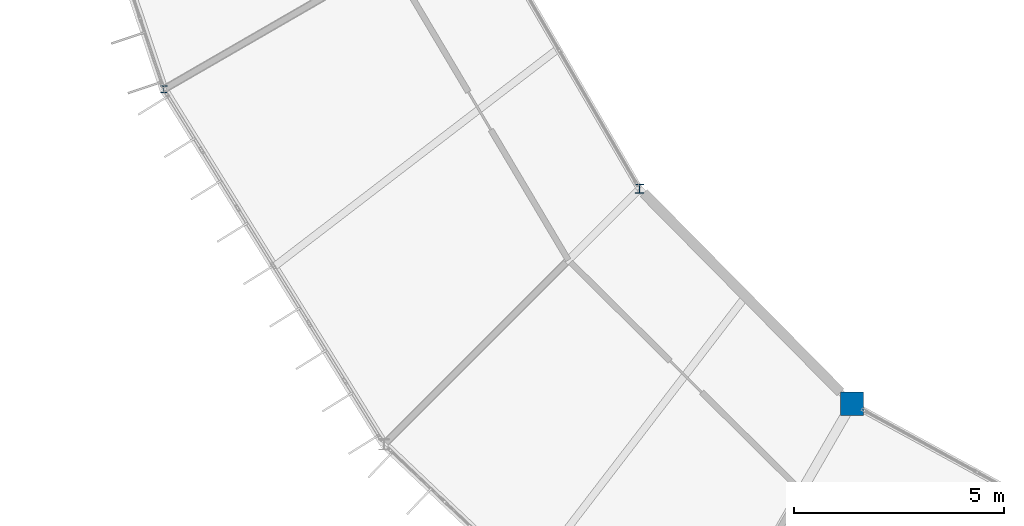
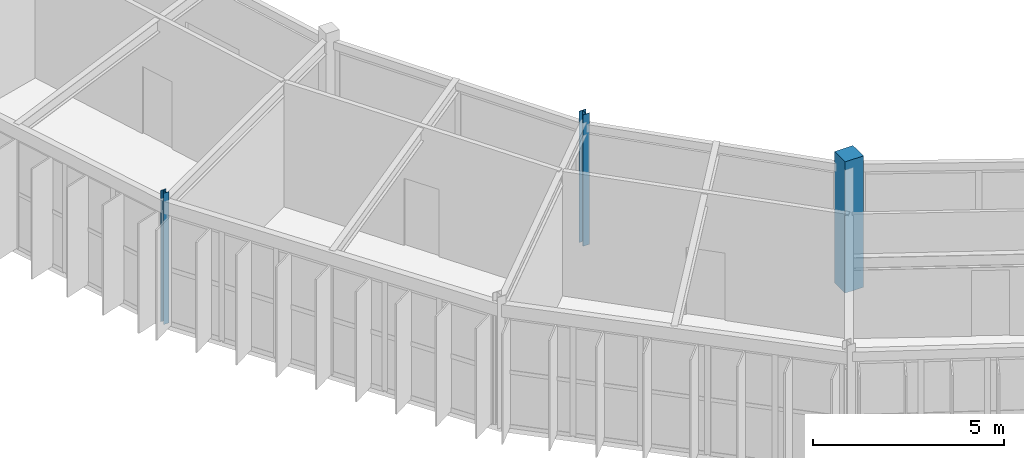
# One storey, part 2 of 134: 3 columns.
"""IFC4 building model written with IfcOpenShell, lengths in metres."""

from ifc_helpers import new_model, si_unit, direction, frame, origin, origin_2d, place, context, subcontext, project, spatial, rectangle, i_section, extrude, material, material_profile, profile_set, type_object, element, save


model = new_model("IFC4")

# Units and contexts
model_context = context("Model", 3, precision=1e-05, world=origin(), true_north=direction((0.0, 1.0)))
body_context = subcontext(model_context, "Body", "Model", "MODEL_VIEW")
ifc_project = project(units=[si_unit("LENGTHUNIT", "METRE"), si_unit("AREAUNIT", "SQUARE_METRE"), si_unit("VOLUMEUNIT", "CUBIC_METRE"), si_unit("PLANEANGLEUNIT", "RADIAN"), si_unit("MASSUNIT", "GRAM", prefix="KILO")], contexts=[model_context])

# Site, building, storey
site_placement = place(None, origin())
site = spatial("IfcSite", under=ifc_project, at=site_placement, CompositionType="ELEMENT")
building_placement = place(site_placement, origin())
building = spatial("IfcBuilding", under=site, at=building_placement, Name="Karori Crest Natural Sciences Institute", CompositionType="ELEMENT")
storey_placement = place(building_placement, frame((0.0, 0.0, 21.699951171875)))
storey = spatial("IfcBuildingStorey", under=building, at=storey_placement, Name="L05", CompositionType="ELEMENT", Elevation=21.699951171875)

# Columns
ifc_material_1 = material(Name="Structural steel AS/NZS 3679.1 Grade 350", Category="steel")
ifc_material_profile_1 = material_profile(ifc_material_1, i_section(OverallWidth=0.205078125, OverallDepth=0.2099609375, WebThickness=0.00927734375, FlangeThickness=0.01416015625, FilletRadius=0.010986328125, at=origin_2d()), Name="200UC59.5")
ifc_profile_set_1 = profile_set([ifc_material_profile_1], Name="Structural steel AS/NZS 3679.1 Grade 350")
column_type_1 = type_object("IfcColumnType", Name="CT-08", PredefinedType="COLUMN", material=ifc_profile_set_1)
column_1_placement = place(storey_placement, frame((49.146484375, 27.131103515625, 0.0), z_axis=(0.0, 0.0, 1.0), x_axis=(1.0, 0.0, 0.0)))
element("IfcColumn", 1, at=column_1_placement, inside=storey, type_object=column_type_1, Name="Column C-0264", PredefinedType="COLUMN", context=body_context, shape_type="SweptSolid", body=[
    extrude(i_section(OverallWidth=0.205078125, OverallDepth=0.2099609375, WebThickness=0.00927734375, FlangeThickness=0.01416015625, FilletRadius=0.010986328125, at=origin_2d()), origin(), (0.0, 0.0, 1.0), 4.199951171875),
])
ifc_material_profile_2 = material_profile(ifc_material_1, i_section(OverallWidth=0.154052734375, OverallDepth=0.162109375, WebThickness=0.008056640625, FlangeThickness=0.011474609375, FilletRadius=0.009033203125, at=origin_2d()), Name="150UC37.2")
ifc_profile_set_2 = profile_set([ifc_material_profile_2], Name="Structural steel AS/NZS 3679.1 Grade 350")
column_type_2 = type_object("IfcColumnType", Name="CT-26", PredefinedType="COLUMN", material=ifc_profile_set_2)
column_2_placement = place(storey_placement, frame((37.8212890625, 29.5, 0.0), z_axis=(0.0, 0.0, 1.0), x_axis=(1.0, 0.0, 0.0)))
element("IfcColumn", 2, at=column_2_placement, inside=storey, type_object=column_type_2, Name="Column C-0249", PredefinedType="COLUMN", context=body_context, shape_type="SweptSolid", body=[
    extrude(i_section(OverallWidth=0.154052734375, OverallDepth=0.162109375, WebThickness=0.008056640625, FlangeThickness=0.011474609375, FilletRadius=0.009033203125, at=origin_2d()), origin(), (0.0, 0.0, 1.0), 4.199951171875),
])
ifc_material_2 = material(Name="Concrete 50 MPa", Category="concrete")
ifc_material_profile_3 = material_profile(ifc_material_2, rectangle(XDim=0.550048828125, YDim=0.550048828125, at=origin_2d()), Name="RC550x550")
ifc_profile_set_3 = profile_set([ifc_material_profile_3], Name="Concrete 50 MPa")
column_type_3 = type_object("IfcColumnType", Name="CT-30", PredefinedType="COLUMN", material=ifc_profile_set_3)
column_3_placement = place(storey_placement, frame((54.199951171875, 22.013916015625, 0.0), z_axis=(0.0, 0.0, 1.0), x_axis=(1.0, 0.0, 0.0)))
element("IfcColumn", 3, at=column_3_placement, inside=storey, type_object=column_type_3, Name="Column C-0278", PredefinedType="COLUMN", context=body_context, shape_type="SweptSolid", body=[
    extrude(rectangle(XDim=0.550048828125, YDim=0.550048828125, at=origin_2d()), origin(), (0.0, 0.0, 1.0), 4.199951171875),
])

save(model, "model.ifc")
